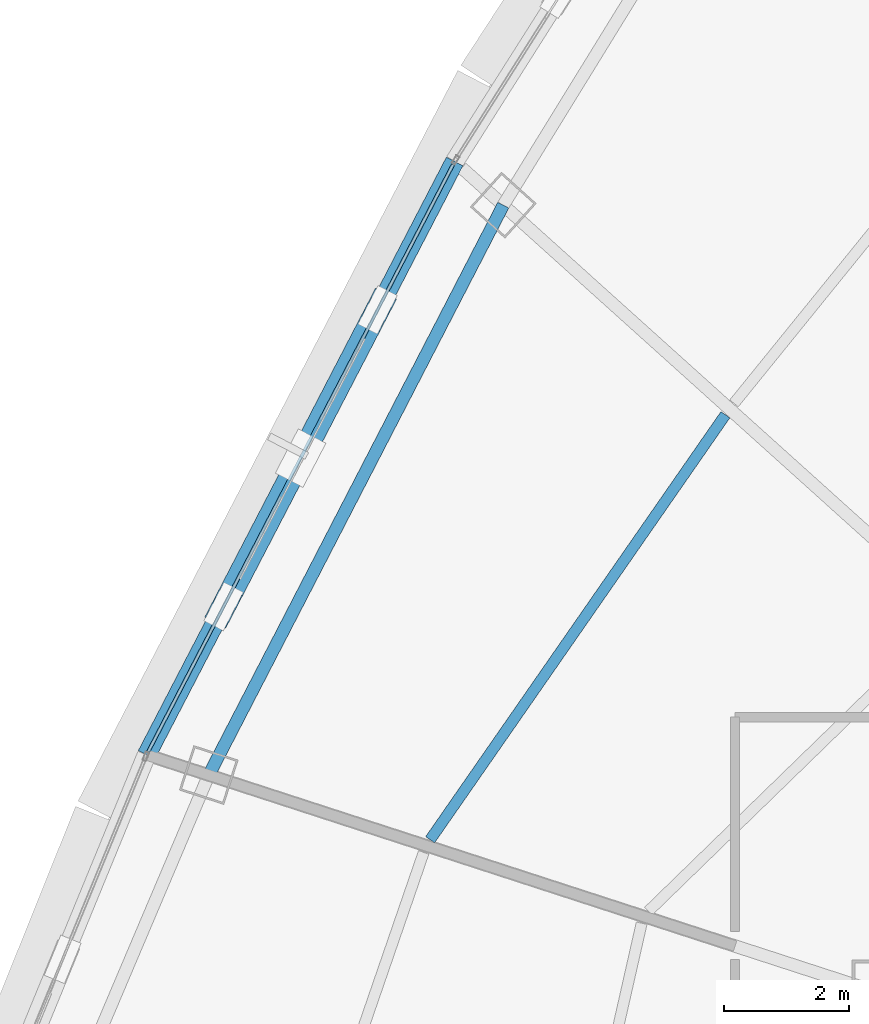
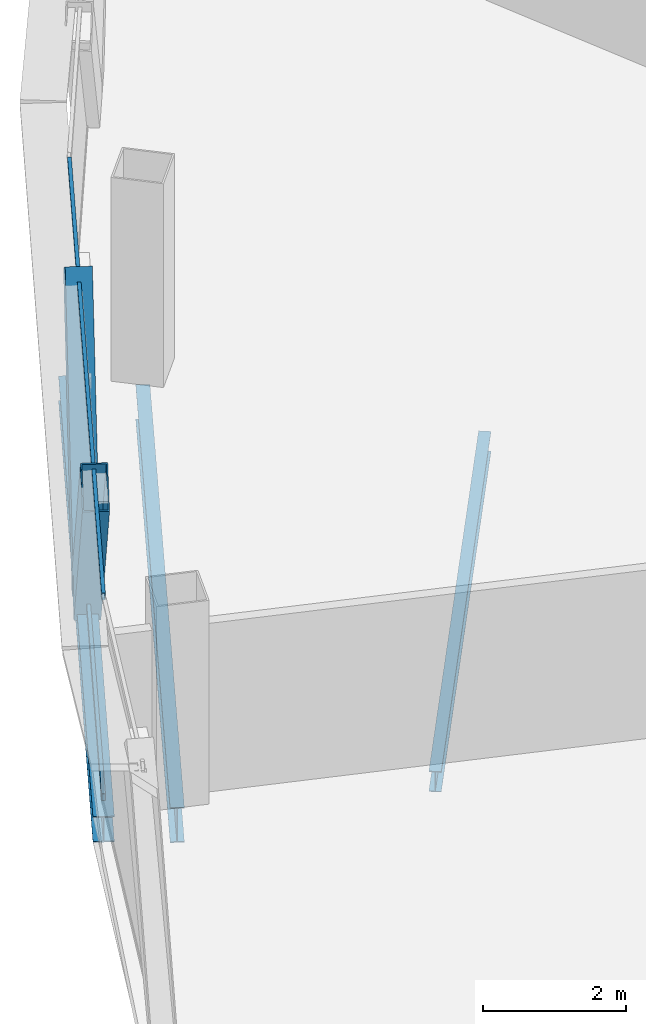
# One storey, part 9 of 33: 4 members, 3 beams, 1 element without a shape of its own.
"""IFC4 building model written with IfcOpenShell, lengths in metres."""

from ifc_helpers import new_model, si_unit, direction, frame, origin, origin_2d, place, context, subcontext, project, spatial, hollow_rectangle, i_section, extrude, source, transform, mapped, material, layer, layer_set, material_profile, profile_set, type_object, element, aggregate, save


model = new_model("IFC4")

# Units and contexts
model_context = context("Model", 3, precision=1e-05, world=origin(), true_north=direction((0.0, 1.0)))
body_context = subcontext(model_context, "Body", "Model", "MODEL_VIEW")
ifc_project = project(units=[si_unit("LENGTHUNIT", "METRE"), si_unit("AREAUNIT", "SQUARE_METRE"), si_unit("VOLUMEUNIT", "CUBIC_METRE"), si_unit("PLANEANGLEUNIT", "RADIAN"), si_unit("MASSUNIT", "GRAM", prefix="KILO"), si_unit("THERMODYNAMICTEMPERATUREUNIT", "KELVIN"), si_unit("POWERUNIT", "WATT")], contexts=[model_context])

# Site, building, storey
site_placement = place(None, origin())
site = spatial("IfcSite", under=ifc_project, at=site_placement, CompositionType="ELEMENT")
building_placement = place(site_placement, origin())
building = spatial("IfcBuilding", under=site, at=building_placement, Name="Yunzhuo Pagoda Commons", CompositionType="ELEMENT")
storey_placement = place(building_placement, frame((0.0, 0.0, 311.1298828125)))
storey = spatial("IfcBuildingStorey", under=building, at=storey_placement, Name="L78", CompositionType="ELEMENT", Elevation=311.1298828125)

# Beams
ifc_material_1 = material(Name="Structural steel Q355B", Category="steel")
ifc_material_profile_1 = material_profile(ifc_material_1, i_section(OverallWidth=0.199951171875, OverallDepth=0.60009765625, WebThickness=0.010986328125, FlangeThickness=0.01708984375, at=origin_2d()), Name="Structural steel Q355B")
ifc_profile_set_1 = profile_set([ifc_material_profile_1], Name="Structural steel Q355B")
beam_type_1 = type_object("IfcBeamType", Name="B-RG3 Beam HN 600x200x11x17", PredefinedType="BEAM", material=ifc_profile_set_1)
shared_shape_1 = source(origin(), body_context, "Body", "SweptSolid", [
    extrude(i_section(OverallWidth=0.199951171875, OverallDepth=0.60009765625, WebThickness=0.010986328125, FlangeThickness=0.01708984375, at=origin_2d()), origin(), (0.0, 0.0, 1.0), 10.3017578125),
])
beam_1_placement = place(storey_placement, frame((29.4267578125, 50.423583984375, -0.559814453125), z_axis=(-0.459070867827, -0.888399650108, 0.0), x_axis=(0.888399650108, -0.459070867827, 0.0)))
element("IfcBeam", 1, at=beam_1_placement, inside=storey, type_object=beam_type_1, Name="L78 column-ring beam 10", PredefinedType="BEAM", context=body_context, shape_type="MappedRepresentation", body=[
    mapped(shared_shape_1, transform((0.0, 0.0, 0.0), scale=1.0)),
])
ifc_material_profile_2 = material_profile(ifc_material_1, i_section(OverallWidth=0.175048828125, OverallDepth=0.35009765625, WebThickness=0.007080078125, FlangeThickness=0.010986328125, at=origin_2d()), Name="Structural steel Q355B")
ifc_profile_set_2 = profile_set([ifc_material_profile_2], Name="Structural steel Q355B")
beam_type_2 = type_object("IfcBeamType", Name="B-JS2 Joist HN 350x175x7x11", PredefinedType="JOIST", material=ifc_profile_set_2)
shared_shape_2 = source(origin(), body_context, "Body", "SweptSolid", [
    extrude(i_section(OverallWidth=0.175048828125, OverallDepth=0.35009765625, WebThickness=0.007080078125, FlangeThickness=0.010986328125, at=origin_2d()), origin(), (0.0, 0.0, 1.0), 8.31103515625),
])
beam_2_placement = place(storey_placement, frame((32.994384765625, 47.0576171875, -0.434814453125), z_axis=(-0.570615989364, -0.821217019236, 0.0), x_axis=(0.821217019236, -0.570615989364, 0.0)))
element("IfcBeam", 2, at=beam_2_placement, inside=storey, type_object=beam_type_2, Name="L78 composite ring joist 2.10", PredefinedType="JOIST", context=body_context, shape_type="MappedRepresentation", body=[
    mapped(shared_shape_2, transform((0.0, 0.0, 0.0), scale=1.0)),
])
ifc_material_profile_3 = material_profile(ifc_material_1, i_section(OverallWidth=0.300048828125, OverallDepth=0.43994140625, WebThickness=0.010986328125, FlangeThickness=0.01806640625, at=origin_2d()), Name="Structural steel Q355B")
ifc_profile_set_3 = profile_set([ifc_material_profile_3], Name="Structural steel Q355B")
beam_type_3 = type_object("IfcBeamType", Name="B-SP2 Beam HM 440x300x11x18", PredefinedType="BEAM", material=ifc_profile_set_3)
shared_shape_3 = source(origin(), body_context, "Body", "SweptSolid", [
    extrude(i_section(OverallWidth=0.300048828125, OverallDepth=0.43994140625, WebThickness=0.010986328125, FlangeThickness=0.01806640625, at=origin_2d()), origin(), (0.0, 0.0, 1.0), 10.73779296875),
])
beam_3_placement = place(storey_placement, frame((28.646484375, 51.1259765625, -0.47998046875), z_axis=(-0.460758444606, -0.887525580321, 0.0), x_axis=(0.887525580321, -0.460758444606, 0.0)))
element("IfcBeam", 3, at=beam_3_placement, inside=storey, type_object=beam_type_3, Name="L78 facade edge spandrel beam F3.2", PredefinedType="BEAM", context=body_context, shape_type="MappedRepresentation", body=[
    mapped(shared_shape_3, transform((0.0, 0.0, 0.0), scale=1.0)),
])

# Members
ifc_material_profile_4 = material_profile(ifc_material_1, hollow_rectangle(XDim=0.3798828125, YDim=0.719970703125, WallThickness=0.02001953125, at=origin_2d()), Name="Structural steel Q355B")
ifc_profile_set_4 = profile_set([ifc_material_profile_4], Name="Structural steel Q355B")
member_type_1 = type_object("IfcMemberType", Name="M-DL3 Brace BOX 720x380x20", PredefinedType="BRACE", material=ifc_profile_set_4)
shared_shape_4 = source(origin(), body_context, "Body", "SweptSolid", [
    extrude(hollow_rectangle(XDim=0.3798828125, YDim=0.719970703125, WallThickness=0.02001953125, at=origin_2d()), origin(), (0.0, 0.0, 1.0), 4.595458984375),
])
for number, where, z_axis, x_axis, name in (
    (4, (26.172607421875, 46.361083984375, -0.259765625), (0.269140766087, 0.518412079644, 0.811672448534), (-0.887520396844, 0.460768429024, 0.0), "L78 facade diamond brace F3.2L"),
    (5, (26.172607421875, 46.361083984375, -0.259765625), (-0.269133353442, -0.518450927011, 0.811650093542), (0.887539704537, -0.460731237133, 0.0), "L78 facade diamond brace F3.2R"),
):
    element("IfcMember", number, at=place(storey_placement, frame(where, z_axis=z_axis, x_axis=x_axis)), inside=storey, type_object=member_type_1, Name=name, PredefinedType="BRACE", context=body_context, shape_type="MappedRepresentation", body=[
        mapped(shared_shape_4, transform((0.0, 0.0, 0.0), scale=1.0)),
    ])

# Curtain wall, members
ifc_material_2 = material(Name="Anodized aluminium 6063-T6", Category="aluminium")
ifc_layer = layer(ifc_material_2, 0.139892578125)
ifc_layer_set = layer_set([ifc_layer], Name="Anodized aluminium 6063-T6")
curtain_wall_type = type_object("IfcCurtainWallType", Name="CW-HI High-Zone Ribbon Curtain Wall", PredefinedType="NOTDEFINED", material=ifc_layer_set)
curtain_wall_placement = place(storey_placement, origin())
curtain_wall = element("IfcCurtainWall", 6, at=curtain_wall_placement, inside=storey, type_object=curtain_wall_type, Name="L78 curtain wall CW-L78-F3B3", PredefinedType="NOTDEFINED")
ifc_material_profile_5 = material_profile(ifc_material_2, hollow_rectangle(XDim=0.054931640625, YDim=0.1201171875, WallThickness=0.00341796875, at=origin_2d()), Name="Anodized aluminium 6063-T6")
ifc_profile_set_5 = profile_set([ifc_material_profile_5], Name="Anodized aluminium 6063-T6")
member_type_2 = type_object("IfcMemberType", Name="CW-HI-T Transom RHS 120x55x3.5", PredefinedType="USERDEFINED", material=ifc_profile_set_5)
shared_shape_5 = source(origin(), body_context, "Body", "SweptSolid", [
    extrude(hollow_rectangle(XDim=0.054931640625, YDim=0.1201171875, WallThickness=0.00341796875, at=origin_2d()), origin(), (0.0, 0.0, 1.0), 10.61767578125),
])
member_1_placement = place(storey_placement, frame((28.61865234375, 51.07275390625, 0.027587890625), z_axis=(-0.460728544046, -0.887541102542, 0.0), x_axis=(0.887541102542, -0.460728544046, 0.0)))
member_1 = element("IfcMember", 7, at=member_1_placement, type_object=member_type_2, Name="CW transom 1.1", ObjectType="TRANSOM", PredefinedType="USERDEFINED", context=body_context, shape_type="MappedRepresentation", body=[
    mapped(shared_shape_5, transform((0.0, 0.0, 0.0), scale=1.0)),
])
member_2_placement = place(storey_placement, frame((28.61865234375, 51.07275390625, 3.442626953125), z_axis=(-0.460728544046, -0.887541102542, 0.0), x_axis=(0.887541102542, -0.460728544046, 0.0)))
member_2 = element("IfcMember", 8, at=member_2_placement, type_object=member_type_2, Name="CW transom 1.2", ObjectType="TRANSOM", PredefinedType="USERDEFINED", context=body_context, shape_type="MappedRepresentation", body=[
    mapped(shared_shape_5, transform((0.0, 0.0, 0.0), scale=1.0)),
])
aggregate(curtain_wall, [member_1, member_2])

save(model, "model.ifc")
